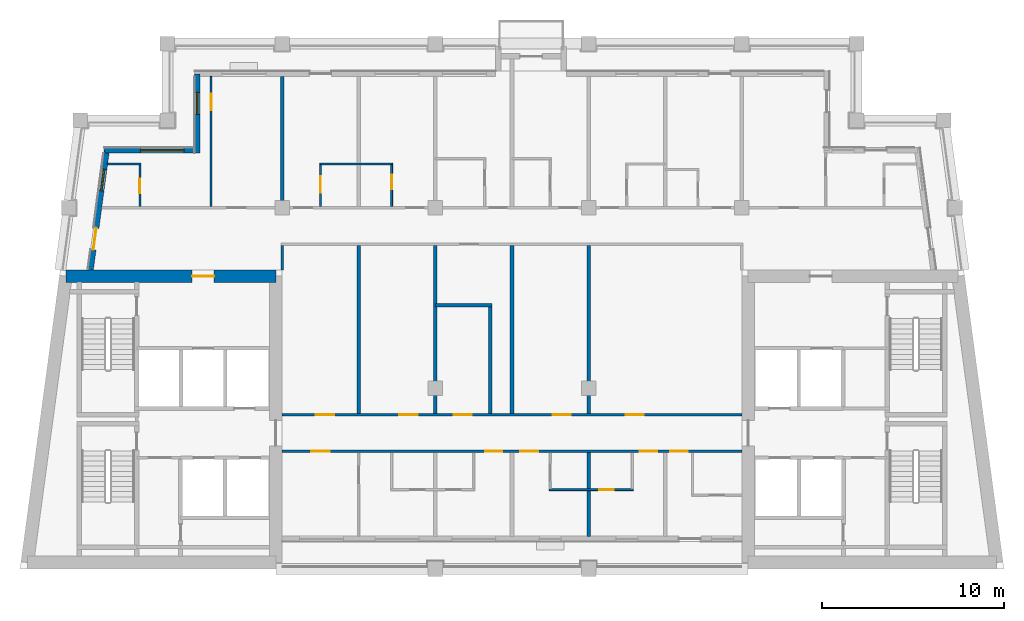
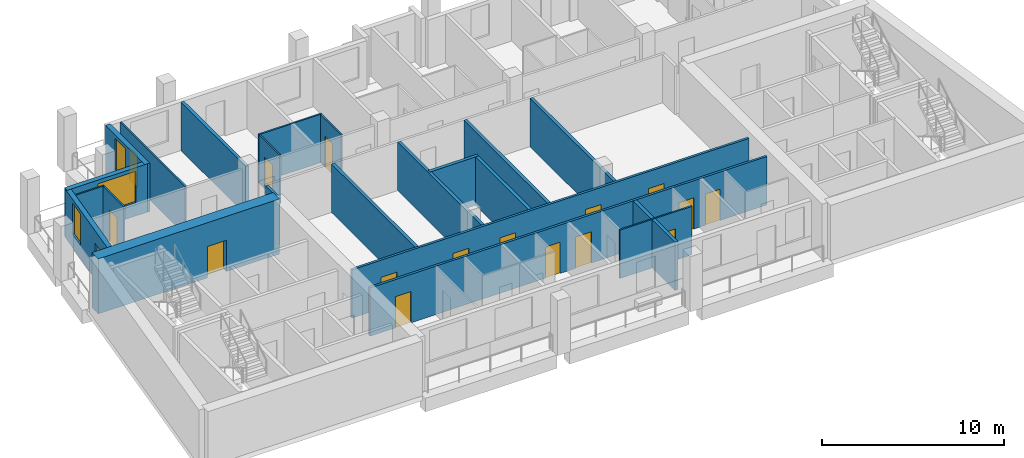
# One storey, part 3 of 10: 22 walls, 17 doors, 3 windows, 20 openings.
"""IFC4 building model written with IfcOpenShell, lengths in metres."""

from ifc_helpers import new_model, si_unit, direction, frame, frame_2d, origin, place, context, subcontext, project, spatial, rectangle, extrude, material, layer, layer_set, type_object, element, fill, save


model = new_model("IFC4")

# Units and contexts
model_context = context("Model", 3, precision=1e-05, world=origin(), true_north=direction((0.0, 1.0)))
body_context = subcontext(model_context, "Body", "Model", "MODEL_VIEW")
ifc_project = project(units=[si_unit("LENGTHUNIT", "METRE"), si_unit("AREAUNIT", "SQUARE_METRE"), si_unit("VOLUMEUNIT", "CUBIC_METRE"), si_unit("PLANEANGLEUNIT", "RADIAN"), si_unit("MASSUNIT", "GRAM", prefix="KILO")], contexts=[model_context])

# Site, building, storey
site_placement = place(None, origin())
site = spatial("IfcSite", under=ifc_project, at=site_placement, CompositionType="ELEMENT")
building_placement = place(site_placement, origin())
building = spatial("IfcBuilding", under=site, at=building_placement, Name="Candeia Pilgrim Tower and Theatre", CompositionType="ELEMENT")
storey_placement = place(building_placement, frame((0.0, 0.0, 299.699951171875)))
storey = spatial("IfcBuildingStorey", under=building, at=storey_placement, Name="L73", CompositionType="ELEMENT", Elevation=299.699951171875)

# Wall, opening, door
ifc_material_1 = material(Name="Concrete C40/50", Category="concrete")
ifc_layer_1 = layer(ifc_material_1, 0.699951171875)
ifc_layer_set_1 = layer_set([ifc_layer_1], Name="Core wall 700 C40/50")
wall_type_1 = type_object("IfcWallType", Name="Core wall 700 C40/50", PredefinedType="SHEAR", material=ifc_layer_set_1)
wall_1_placement = place(storey_placement, frame((88.936767578125, 132.050048828125, 0.0), z_axis=(0.0, 0.0, 1.0), x_axis=(1.0, 0.0, 0.0)))
wall_1 = element("IfcWall", 1, at=wall_1_placement, inside=storey, type_object=wall_type_1, Name="Core wall W1", PredefinedType="SHEAR", context=body_context, shape_type="SweptSolid", body=[
    extrude(rectangle(XDim=11.51318359375, YDim=0.699951171875, at=frame_2d((5.756591796875, 0.0))), origin(), (0.0, 0.0, 1.0), 3.699951171875),
])
opening_1_placement = place(wall_1_placement, frame((6.9267578125, 0.0, 0.0)))
opening_1 = element("IfcOpeningElement", 2, at=opening_1_placement, cuts=wall_1, Name="Opening L73-D044", PredefinedType="OPENING", context=body_context, shape_type="SweptSolid", body=[
    extrude(rectangle(XDim=1.199951171875, YDim=2.10009765625, at=frame_2d((0.60009765625, 1.050048828125))), frame((0.0, 0.35986328125, 0.0), z_axis=(0.0, -1.0, 0.0), x_axis=(1.0, 0.0, 0.0)), (0.0, 0.0, 1.0), 0.719970703125),
])
ifc_material_2 = material(Name="Steel fire door set", Category="steel")
door_type_1 = type_object("IfcDoorType", Name="D-1200-FD60", OperationType="NOTDEFINED", PredefinedType="DOOR", material=ifc_material_2)
door_1_placement = place(opening_1_placement, origin())
door_1 = element("IfcDoor", 3, at=door_1_placement, inside=storey, type_object=door_type_1, Name="Door L73-D044", OperationType="SINGLE_SWING_LEFT", OverallHeight=2.10009765625, OverallWidth=1.199951171875, PredefinedType="DOOR", context=body_context, shape_type="SweptSolid", body=[
    extrude(rectangle(XDim=1.199951171875, YDim=2.10009765625, at=frame_2d((0.60009765625, 1.050048828125))), frame((0.0, 0.02490234375, 0.0), z_axis=(0.0, -1.0, 0.0), x_axis=(1.0, 0.0, 0.0)), (0.0, 0.0, 1.0), 0.050048828125),
])
fill(opening_1, door_1)

# Wall, openings, door, window
ifc_material_3 = material(Name="Ceramic block masonry", Category="masonry")
ifc_layer_2 = layer(ifc_material_3, 0.300048828125)
ifc_layer_set_2 = layer_set([ifc_layer_2], Name="EW1 glazing-line wall 300")
wall_type_2 = type_object("IfcWallType", Name="EW1 glazing-line wall 300", PredefinedType="SOLIDWALL", material=ifc_layer_set_2)
wall_2_placement = place(storey_placement, frame((91.177490234375, 138.949951171875, 0.0), z_axis=(0.0, 0.0, 1.0), x_axis=(-0.133426664613, -0.991058689065, 0.0)))
wall_2 = element("IfcWall", 4, at=wall_2_placement, inside=storey, type_object=wall_type_2, Name="External wall L73-0.0", PredefinedType="SOLIDWALL", context=body_context, shape_type="SweptSolid", body=[
    extrude(rectangle(XDim=6.609130859375, YDim=0.300048828125, at=frame_2d((3.3046875, 0.0))), origin(), (0.0, 0.0, 1.0), 3.25),
])
opening_2_placement = place(wall_2_placement, frame((1.039306640625, 0.0, 0.89990234375)))
opening_2 = element("IfcOpeningElement", 5, at=opening_2_placement, cuts=wall_2, Name="Opening W-B", PredefinedType="OPENING", context=body_context, shape_type="SweptSolid", body=[
    extrude(rectangle(XDim=1.199951171875, YDim=2.10009765625, at=frame_2d((0.60009765625, 1.050048828125))), frame((0.0, 0.16015625, 0.0), z_axis=(0.0, -1.0, 0.0), x_axis=(1.0, 0.0, 0.0)), (0.0, 0.0, 1.0), 0.320068359375),
])
opening_3_placement = place(wall_2_placement, frame((4.293701171875, 0.0, 0.0)))
opening_3 = element("IfcOpeningElement", 6, at=opening_3_placement, cuts=wall_2, Name="Opening L73-ED675", PredefinedType="OPENING", context=body_context, shape_type="SweptSolid", body=[
    extrude(rectangle(XDim=1.199951171875, YDim=2.39990234375, at=frame_2d((0.60009765625, 1.199951171875))), frame((0.0, 0.16015625, 0.0), z_axis=(0.0, -1.0, 0.0), x_axis=(1.0, 0.0, 0.0)), (0.0, 0.0, 1.0), 0.320068359375),
])
ifc_material_4 = material(Name="Aluminium framed glazed door", Category="aluminium")
door_type_2 = type_object("IfcDoorType", Name="Loggia door 1200x2400", OperationType="DOUBLE_DOOR_SINGLE_SWING", PredefinedType="DOOR", material=ifc_material_4)
door_2_placement = place(opening_3_placement, origin())
door_2 = element("IfcDoor", 7, at=door_2_placement, inside=storey, type_object=door_type_2, Name="Loggia door L73-ED675", OperationType="DOUBLE_DOOR_SINGLE_SWING", OverallHeight=2.39990234375, OverallWidth=1.199951171875, PredefinedType="DOOR", context=body_context, shape_type="SweptSolid", body=[
    extrude(rectangle(XDim=1.199951171875, YDim=2.39990234375, at=frame_2d((0.60009765625, 1.199951171875))), frame((0.0, 0.02490234375, 0.0), z_axis=(0.0, -1.0, 0.0), x_axis=(1.0, 0.0, 0.0)), (0.0, 0.0, 1.0), 0.050048828125),
])
fill(opening_3, door_2)
ifc_material_5 = material(Name="Aluminium framed double glazing", Category="aluminium")
window_type_1 = type_object("IfcWindowType", Name="W-B window 1200x2100", PartitioningType="SINGLE_PANEL", PredefinedType="WINDOW", material=ifc_material_5)
window_1_placement = place(opening_2_placement, origin())
window_1 = element("IfcWindow", 8, at=window_1_placement, inside=storey, type_object=window_type_1, Name="Window W-B L73", OverallHeight=2.10009765625, OverallWidth=1.199951171875, PartitioningType="SINGLE_PANEL", PredefinedType="WINDOW", context=body_context, shape_type="SweptSolid", body=[
    extrude(rectangle(XDim=1.199951171875, YDim=2.10009765625, at=frame_2d((0.60009765625, 1.050048828125))), frame((0.0, 0.030029296875, 0.0), z_axis=(0.0, -1.0, 0.0), x_axis=(1.0, 0.0, 0.0)), (0.0, 0.0, 1.0), 0.06005859375),
])
fill(opening_2, window_1)

# Wall, opening, window
wall_3_placement = place(storey_placement, frame((96.14990234375, 143.14990234375, 0.0), z_axis=(0.0, 0.0, 1.0), x_axis=(0.0, -1.0, 0.0)))
wall_3 = element("IfcWall", 9, at=wall_3_placement, inside=storey, type_object=wall_type_2, Name="External wall L73-6.0", PredefinedType="SOLIDWALL", context=body_context, shape_type="SweptSolid", body=[
    extrude(rectangle(XDim=4.349853515625, YDim=0.300048828125, at=frame_2d((2.1748046875, 0.0))), origin(), (0.0, 0.0, 1.0), 3.25),
])
opening_4_placement = place(wall_3_placement, frame((1.02490234375, 0.0, 0.89990234375)))
opening_4 = element("IfcOpeningElement", 10, at=opening_4_placement, cuts=wall_3, Name="Opening W-B", PredefinedType="OPENING", context=body_context, shape_type="SweptSolid", body=[
    extrude(rectangle(XDim=1.199951171875, YDim=2.10009765625, at=frame_2d((0.60009765625, 1.050048828125))), frame((0.0, 0.16015625, 0.0), z_axis=(0.0, -1.0, 0.0), x_axis=(1.0, 0.0, 0.0)), (0.0, 0.0, 1.0), 0.320068359375),
])
window_2_placement = place(opening_4_placement, origin())
window_2 = element("IfcWindow", 11, at=window_2_placement, inside=storey, type_object=window_type_1, Name="Window W-B L73", OverallHeight=2.10009765625, OverallWidth=1.199951171875, PartitioningType="SINGLE_PANEL", PredefinedType="WINDOW", context=body_context, shape_type="SweptSolid", body=[
    extrude(rectangle(XDim=1.199951171875, YDim=2.10009765625, at=frame_2d((0.60009765625, 1.050048828125))), frame((0.0, 0.030029296875, 0.0), z_axis=(0.0, -1.0, 0.0), x_axis=(1.0, 0.0, 0.0)), (0.0, 0.0, 1.0), 0.06005859375),
])
fill(opening_4, window_2)

wall_4_placement = place(storey_placement, frame((96.14990234375, 138.949951171875, 0.0), z_axis=(0.0, 0.0, 1.0), x_axis=(-1.0, 0.0, 0.0)))
wall_4 = element("IfcWall", 12, at=wall_4_placement, inside=storey, type_object=wall_type_2, Name="External wall L73-7.0", PredefinedType="SOLIDWALL", context=body_context, shape_type="SweptSolid", body=[
    extrude(rectangle(XDim=5.103759765625, YDim=0.300048828125, at=frame_2d((2.5517578125, 0.0))), origin(), (0.0, 0.0, 1.0), 3.25),
])
opening_5_placement = place(wall_4_placement, frame((0.72509765625, 0.0, 0.89990234375)))
opening_5 = element("IfcOpeningElement", 13, at=opening_5_placement, cuts=wall_4, Name="Opening W-A", PredefinedType="OPENING", context=body_context, shape_type="SweptSolid", body=[
    extrude(rectangle(XDim=2.39990234375, YDim=2.10009765625, at=frame_2d((1.199951171875, 1.050048828125))), frame((0.0, 0.16015625, 0.0), z_axis=(0.0, -1.0, 0.0), x_axis=(1.0, 0.0, 0.0)), (0.0, 0.0, 1.0), 0.320068359375),
])
window_type_2 = type_object("IfcWindowType", Name="W-A window 2400x2100", PartitioningType="DOUBLE_PANEL_VERTICAL", PredefinedType="WINDOW", material=ifc_material_5)
window_3_placement = place(opening_5_placement, origin())
window_3 = element("IfcWindow", 14, at=window_3_placement, inside=storey, type_object=window_type_2, Name="Window W-A L73", OverallHeight=2.10009765625, OverallWidth=2.39990234375, PartitioningType="SINGLE_PANEL", PredefinedType="WINDOW", context=body_context, shape_type="SweptSolid", body=[
    extrude(rectangle(XDim=2.39990234375, YDim=2.10009765625, at=frame_2d((1.199951171875, 1.050048828125))), frame((0.0, 0.030029296875, 0.0), z_axis=(0.0, -1.0, 0.0), x_axis=(1.0, 0.0, 0.0)), (0.0, 0.0, 1.0), 0.06005859375),
])
fill(opening_5, window_3)

# Wall, opening, door
ifc_material_6 = material(Name="Gypsum board partition on steel studs", Category="steel")
ifc_layer_3 = layer(ifc_material_6, 0.10009765625)
ifc_layer_set_3 = layer_set([ifc_layer_3], Name="PW-100 room partition")
wall_type_3 = type_object("IfcWallType", Name="PW-100 room partition", PredefinedType="PARTITIONING", material=ifc_layer_set_3)
wall_5_placement = place(storey_placement, frame((115.449951171875, 120.35009765625, 0.0), z_axis=(0.0, 0.0, 1.0), x_axis=(1.0, 0.0, 0.0)))
wall_5 = element("IfcWall", 15, at=wall_5_placement, inside=storey, type_object=wall_type_3, Name="Room partition L73-011", PredefinedType="PARTITIONING", context=body_context, shape_type="SweptSolid", body=[
    extrude(rectangle(XDim=4.60009765625, YDim=0.10009765625, at=frame_2d((2.300048828125, 0.0))), origin(), (0.0, 0.0, 1.0), 3.25),
])
opening_6_placement = place(wall_5_placement, frame((2.72509765625, 0.0, 0.0)))
opening_6 = element("IfcOpeningElement", 16, at=opening_6_placement, cuts=wall_5, Name="Opening L73-D017", PredefinedType="OPENING", context=body_context, shape_type="SweptSolid", body=[
    extrude(rectangle(XDim=0.800048828125, YDim=2.10009765625, at=frame_2d((0.39990234375, 1.050048828125))), frame((0.0, 0.06005859375, 0.0), z_axis=(0.0, -1.0, 0.0), x_axis=(1.0, 0.0, 0.0)), (0.0, 0.0, 1.0), 0.1201171875),
])
ifc_material_7 = material(Name="Timber door leaf", Category="wood")
door_type_3 = type_object("IfcDoorType", Name="D-800", OperationType="NOTDEFINED", PredefinedType="DOOR", material=ifc_material_7)
door_3_placement = place(opening_6_placement, origin())
door_3 = element("IfcDoor", 17, at=door_3_placement, inside=storey, type_object=door_type_3, Name="Door L73-D017", OperationType="SINGLE_SWING_RIGHT", OverallHeight=2.10009765625, OverallWidth=0.800048828125, PredefinedType="DOOR", context=body_context, shape_type="SweptSolid", body=[
    extrude(rectangle(XDim=0.800048828125, YDim=2.10009765625, at=frame_2d((0.39990234375, 1.050048828125))), frame((0.0, 0.02490234375, 0.0), z_axis=(0.0, -1.0, 0.0), x_axis=(1.0, 0.0, 0.0)), (0.0, 0.0, 1.0), 0.050048828125),
])
fill(opening_6, door_3)

# Walls
wall_6_placement = place(storey_placement, frame((91.2177734375, 138.199951171875, 0.0), z_axis=(0.0, 0.0, 1.0), x_axis=(1.0, 0.0, 0.0)))
element("IfcWall", 18, at=wall_6_placement, inside=storey, type_object=wall_type_3, Name="Room partition L73-034", PredefinedType="PARTITIONING", context=body_context, shape_type="SweptSolid", body=[
    extrude(rectangle(XDim=1.832275390625, YDim=0.10009765625, at=frame_2d((0.916015625, 0.0))), origin(), (0.0, 0.0, 1.0), 3.25),
])
wall_7_placement = place(storey_placement, frame((102.85009765625, 138.199951171875, 0.0), z_axis=(0.0, 0.0, 1.0), x_axis=(1.0, 0.0, 0.0)))
element("IfcWall", 19, at=wall_7_placement, inside=storey, type_object=wall_type_3, Name="Room partition L73-035", PredefinedType="PARTITIONING", context=body_context, shape_type="SweptSolid", body=[
    extrude(rectangle(XDim=4.0, YDim=0.10009765625, at=frame_2d((2.0, 0.0))), origin(), (0.0, 0.0, 1.0), 3.25),
])

# Wall, opening, door
wall_8_placement = place(storey_placement, frame((93.0, 135.875, 0.0), z_axis=(0.0, 0.0, 1.0), x_axis=(0.0, 1.0, 0.0)))
wall_8 = element("IfcWall", 20, at=wall_8_placement, inside=storey, type_object=wall_type_3, Name="Room partition L73-045", PredefinedType="PARTITIONING", context=body_context, shape_type="SweptSolid", body=[
    extrude(rectangle(XDim=2.27490234375, YDim=0.10009765625, at=frame_2d((1.137451171875, 0.0))), origin(), (0.0, 0.0, 1.0), 3.25),
])
opening_7_placement = place(wall_8_placement, frame((0.72509765625, 0.0, 0.0)))
opening_7 = element("IfcOpeningElement", 21, at=opening_7_placement, cuts=wall_8, Name="Opening L73-D022", PredefinedType="OPENING", context=body_context, shape_type="SweptSolid", body=[
    extrude(rectangle(XDim=0.800048828125, YDim=2.10009765625, at=frame_2d((0.39990234375, 1.050048828125))), frame((0.0, 0.06005859375, 0.0), z_axis=(0.0, -1.0, 0.0), x_axis=(1.0, 0.0, 0.0)), (0.0, 0.0, 1.0), 0.1201171875),
])
door_4_placement = place(opening_7_placement, origin())
door_4 = element("IfcDoor", 22, at=door_4_placement, inside=storey, type_object=door_type_3, Name="Door L73-D022", OperationType="SINGLE_SWING_LEFT", OverallHeight=2.10009765625, OverallWidth=0.800048828125, PredefinedType="DOOR", context=body_context, shape_type="SweptSolid", body=[
    extrude(rectangle(XDim=0.800048828125, YDim=2.10009765625, at=frame_2d((0.39990234375, 1.050048828125))), frame((0.0, 0.02490234375, 0.0), z_axis=(0.0, -1.0, 0.0), x_axis=(1.0, 0.0, 0.0)), (0.0, 0.0, 1.0), 0.050048828125),
])
fill(opening_7, door_4)

wall_9_placement = place(storey_placement, frame((96.89990234375, 135.875, 0.0), z_axis=(0.0, 0.0, 1.0), x_axis=(0.0, 1.0, 0.0)))
wall_9 = element("IfcWall", 23, at=wall_9_placement, inside=storey, type_object=wall_type_3, Name="Room partition L73-048", PredefinedType="PARTITIONING", context=body_context, shape_type="SweptSolid", body=[
    extrude(rectangle(XDim=7.135009765625, YDim=0.10009765625, at=frame_2d((3.5673828125, 0.0))), origin(), (0.0, 0.0, 1.0), 3.25),
])
opening_8_placement = place(wall_9_placement, frame((5.2900390625, 0.0, 0.0)))
opening_8 = element("IfcOpeningElement", 24, at=opening_8_placement, cuts=wall_9, Name="Opening L73-D021", PredefinedType="OPENING", context=body_context, shape_type="SweptSolid", body=[
    extrude(rectangle(XDim=0.89990234375, YDim=2.10009765625, at=frame_2d((0.449951171875, 1.050048828125))), frame((0.0, 0.06005859375, 0.0), z_axis=(0.0, -1.0, 0.0), x_axis=(1.0, 0.0, 0.0)), (0.0, 0.0, 1.0), 0.1201171875),
])
door_type_4 = type_object("IfcDoorType", Name="D-900", OperationType="NOTDEFINED", PredefinedType="DOOR", material=ifc_material_7)
door_5_placement = place(opening_8_placement, origin())
door_5 = element("IfcDoor", 25, at=door_5_placement, inside=storey, type_object=door_type_4, Name="Door L73-D021", OperationType="SINGLE_SWING_RIGHT", OverallHeight=2.10009765625, OverallWidth=0.89990234375, PredefinedType="DOOR", context=body_context, shape_type="SweptSolid", body=[
    extrude(rectangle(XDim=0.89990234375, YDim=2.10009765625, at=frame_2d((0.449951171875, 1.050048828125))), frame((0.0, 0.02490234375, 0.0), z_axis=(0.0, -1.0, 0.0), x_axis=(1.0, 0.0, 0.0)), (0.0, 0.0, 1.0), 0.050048828125),
])
fill(opening_8, door_5)

wall_10_placement = place(storey_placement, frame((102.89990234375, 135.875, 0.0), z_axis=(0.0, 0.0, 1.0), x_axis=(0.0, 1.0, 0.0)))
wall_10 = element("IfcWall", 26, at=wall_10_placement, inside=storey, type_object=wall_type_3, Name="Room partition L73-053", PredefinedType="PARTITIONING", context=body_context, shape_type="SweptSolid", body=[
    extrude(rectangle(XDim=2.27490234375, YDim=0.10009765625, at=frame_2d((1.137451171875, 0.0))), origin(), (0.0, 0.0, 1.0), 3.25),
])
opening_9_placement = place(wall_10_placement, frame((0.7548828125, 0.0, 0.0)))
opening_9 = element("IfcOpeningElement", 27, at=opening_9_placement, cuts=wall_10, Name="Opening L73-D024", PredefinedType="OPENING", context=body_context, shape_type="SweptSolid", body=[
    extrude(rectangle(XDim=0.89990234375, YDim=2.10009765625, at=frame_2d((0.449951171875, 1.050048828125))), frame((0.0, 0.06005859375, 0.0), z_axis=(0.0, -1.0, 0.0), x_axis=(1.0, 0.0, 0.0)), (0.0, 0.0, 1.0), 0.1201171875),
])
door_6_placement = place(opening_9_placement, origin())
door_6 = element("IfcDoor", 28, at=door_6_placement, inside=storey, type_object=door_type_4, Name="Door L73-D024", OperationType="SINGLE_SWING_LEFT", OverallHeight=2.10009765625, OverallWidth=0.89990234375, PredefinedType="DOOR", context=body_context, shape_type="SweptSolid", body=[
    extrude(rectangle(XDim=0.89990234375, YDim=2.10009765625, at=frame_2d((0.449951171875, 1.050048828125))), frame((0.0, 0.02490234375, 0.0), z_axis=(0.0, -1.0, 0.0), x_axis=(1.0, 0.0, 0.0)), (0.0, 0.0, 1.0), 0.050048828125),
])
fill(opening_9, door_6)

wall_11_placement = place(storey_placement, frame((106.800048828125, 135.875, 0.0), z_axis=(0.0, 0.0, 1.0), x_axis=(0.0, 1.0, 0.0)))
wall_11 = element("IfcWall", 29, at=wall_11_placement, inside=storey, type_object=wall_type_3, Name="Room partition L73-058", PredefinedType="PARTITIONING", context=body_context, shape_type="SweptSolid", body=[
    extrude(rectangle(XDim=2.27490234375, YDim=0.10009765625, at=frame_2d((1.137451171875, 0.0))), origin(), (0.0, 0.0, 1.0), 3.25),
])
opening_10_placement = place(wall_11_placement, frame((0.949951171875, 0.0, 0.0)))
opening_10 = element("IfcOpeningElement", 30, at=opening_10_placement, cuts=wall_11, Name="Opening L73-D026", PredefinedType="OPENING", context=body_context, shape_type="SweptSolid", body=[
    extrude(rectangle(XDim=0.800048828125, YDim=2.10009765625, at=frame_2d((0.39990234375, 1.050048828125))), frame((0.0, 0.06005859375, 0.0), z_axis=(0.0, -1.0, 0.0), x_axis=(1.0, 0.0, 0.0)), (0.0, 0.0, 1.0), 0.1201171875),
])
door_7_placement = place(opening_10_placement, origin())
door_7 = element("IfcDoor", 31, at=door_7_placement, inside=storey, type_object=door_type_3, Name="Door L73-D026", OperationType="SINGLE_SWING_LEFT", OverallHeight=2.10009765625, OverallWidth=0.800048828125, PredefinedType="DOOR", context=body_context, shape_type="SweptSolid", body=[
    extrude(rectangle(XDim=0.800048828125, YDim=2.10009765625, at=frame_2d((0.39990234375, 1.050048828125))), frame((0.0, 0.02490234375, 0.0), z_axis=(0.0, -1.0, 0.0), x_axis=(1.0, 0.0, 0.0)), (0.0, 0.0, 1.0), 0.050048828125),
])
fill(opening_10, door_7)

# Wall, openings, doors
ifc_layer_4 = layer(ifc_material_6, 0.14990234375)
ifc_layer_set_4 = layer_set([ifc_layer_4], Name="PW-150 unit wall")
wall_type_4 = type_object("IfcWallType", Name="PW-150 unit wall", PredefinedType="PARTITIONING", material=ifc_layer_set_4)
wall_12_placement = place(storey_placement, frame((100.800048828125, 122.449951171875, 0.0), z_axis=(0.0, 0.0, 1.0), x_axis=(1.0, 0.0, 0.0)))
wall_12 = element("IfcWall", 32, at=wall_12_placement, inside=storey, type_object=wall_type_4, Name="Unit wall L73-016", PredefinedType="PARTITIONING", context=body_context, shape_type="SweptSolid", body=[
    extrude(rectangle(XDim=25.199951171875, YDim=0.14990234375, at=frame_2d((12.60009765625, 0.0))), origin(), (0.0, 0.0, 1.0), 3.25),
])
opening_11_placement = place(wall_12_placement, frame((1.60009765625, 0.0, 0.0)))
opening_11 = element("IfcOpeningElement", 33, at=opening_11_placement, cuts=wall_12, Name="Opening L73-D009", PredefinedType="OPENING", context=body_context, shape_type="SweptSolid", body=[
    extrude(rectangle(XDim=1.0, YDim=2.10009765625, at=frame_2d((0.5, 1.050048828125))), frame((0.0, 0.0849609375, 0.0), z_axis=(0.0, -1.0, 0.0), x_axis=(1.0, 0.0, 0.0)), (0.0, 0.0, 1.0), 0.169921875),
])
opening_12_placement = place(wall_12_placement, frame((11.1201171875, 0.0, 0.0)))
opening_12 = element("IfcOpeningElement", 34, at=opening_12_placement, cuts=wall_12, Name="Opening L73-D012", PredefinedType="OPENING", context=body_context, shape_type="SweptSolid", body=[
    extrude(rectangle(XDim=0.949951171875, YDim=2.10009765625, at=frame_2d((0.47509765625, 1.050048828125))), frame((0.0, 0.0849609375, 0.0), z_axis=(0.0, -1.0, 0.0), x_axis=(1.0, 0.0, 0.0)), (0.0, 0.0, 1.0), 0.169921875),
])
opening_13_placement = place(wall_12_placement, frame((13.050048828125, 0.0, 0.0)))
opening_13 = element("IfcOpeningElement", 35, at=opening_13_placement, cuts=wall_12, Name="Opening L73-D014", PredefinedType="OPENING", context=body_context, shape_type="SweptSolid", body=[
    extrude(rectangle(XDim=1.0, YDim=2.10009765625, at=frame_2d((0.5, 1.050048828125))), frame((0.0, 0.0849609375, 0.0), z_axis=(0.0, -1.0, 0.0), x_axis=(1.0, 0.0, 0.0)), (0.0, 0.0, 1.0), 0.169921875),
])
opening_14_placement = place(wall_12_placement, frame((19.610107421875, 0.0, 0.0)))
opening_14 = element("IfcOpeningElement", 36, at=opening_14_placement, cuts=wall_12, Name="Opening L73-D016", PredefinedType="OPENING", context=body_context, shape_type="SweptSolid", body=[
    extrude(rectangle(XDim=0.949951171875, YDim=2.10009765625, at=frame_2d((0.47509765625, 1.050048828125))), frame((0.0, 0.0849609375, 0.0), z_axis=(0.0, -1.0, 0.0), x_axis=(1.0, 0.0, 0.0)), (0.0, 0.0, 1.0), 0.169921875),
])
opening_15_placement = place(wall_12_placement, frame((21.27490234375, 0.0, 0.0)))
opening_15 = element("IfcOpeningElement", 37, at=opening_15_placement, cuts=wall_12, Name="Opening L73-D018", PredefinedType="OPENING", context=body_context, shape_type="SweptSolid", body=[
    extrude(rectangle(XDim=0.949951171875, YDim=2.10009765625, at=frame_2d((0.47509765625, 1.050048828125))), frame((0.0, 0.0849609375, 0.0), z_axis=(0.0, -1.0, 0.0), x_axis=(1.0, 0.0, 0.0)), (0.0, 0.0, 1.0), 0.169921875),
])
door_type_5 = type_object("IfcDoorType", Name="D-1000-FD30S", OperationType="NOTDEFINED", PredefinedType="DOOR", material=ifc_material_2)
door_8_placement = place(opening_11_placement, origin())
door_8 = element("IfcDoor", 38, at=door_8_placement, inside=storey, type_object=door_type_5, Name="Door L73-D009", OperationType="SINGLE_SWING_RIGHT", OverallHeight=2.10009765625, OverallWidth=1.0, PredefinedType="DOOR", context=body_context, shape_type="SweptSolid", body=[
    extrude(rectangle(XDim=1.0, YDim=2.10009765625, at=frame_2d((0.5, 1.050048828125))), frame((0.0, 0.02490234375, 0.0), z_axis=(0.0, -1.0, 0.0), x_axis=(1.0, 0.0, 0.0)), (0.0, 0.0, 1.0), 0.050048828125),
])
fill(opening_11, door_8)
door_9_placement = place(opening_13_placement, origin())
door_9 = element("IfcDoor", 39, at=door_9_placement, inside=storey, type_object=door_type_5, Name="Door L73-D014", OperationType="SINGLE_SWING_LEFT", OverallHeight=2.10009765625, OverallWidth=1.0, PredefinedType="DOOR", context=body_context, shape_type="SweptSolid", body=[
    extrude(rectangle(XDim=1.0, YDim=2.10009765625, at=frame_2d((0.5, 1.050048828125))), frame((0.0, 0.02490234375, 0.0), z_axis=(0.0, -1.0, 0.0), x_axis=(1.0, 0.0, 0.0)), (0.0, 0.0, 1.0), 0.050048828125),
])
fill(opening_13, door_9)
door_type_6 = type_object("IfcDoorType", Name="D-950-FD30S", OperationType="NOTDEFINED", PredefinedType="DOOR", material=ifc_material_2)
door_10_placement = place(opening_12_placement, origin())
door_10 = element("IfcDoor", 40, at=door_10_placement, inside=storey, type_object=door_type_6, Name="Door L73-D012", OperationType="SINGLE_SWING_LEFT", OverallHeight=2.10009765625, OverallWidth=0.949951171875, PredefinedType="DOOR", context=body_context, shape_type="SweptSolid", body=[
    extrude(rectangle(XDim=0.949951171875, YDim=2.10009765625, at=frame_2d((0.47509765625, 1.050048828125))), frame((0.0, 0.02490234375, 0.0), z_axis=(0.0, -1.0, 0.0), x_axis=(1.0, 0.0, 0.0)), (0.0, 0.0, 1.0), 0.050048828125),
])
fill(opening_12, door_10)
door_11_placement = place(opening_14_placement, origin())
door_11 = element("IfcDoor", 41, at=door_11_placement, inside=storey, type_object=door_type_6, Name="Door L73-D016", OperationType="SINGLE_SWING_LEFT", OverallHeight=2.10009765625, OverallWidth=0.949951171875, PredefinedType="DOOR", context=body_context, shape_type="SweptSolid", body=[
    extrude(rectangle(XDim=0.949951171875, YDim=2.10009765625, at=frame_2d((0.47509765625, 1.050048828125))), frame((0.0, 0.02490234375, 0.0), z_axis=(0.0, -1.0, 0.0), x_axis=(1.0, 0.0, 0.0)), (0.0, 0.0, 1.0), 0.050048828125),
])
fill(opening_14, door_11)
door_12_placement = place(opening_15_placement, origin())
door_12 = element("IfcDoor", 42, at=door_12_placement, inside=storey, type_object=door_type_6, Name="Door L73-D018", OperationType="SINGLE_SWING_LEFT", OverallHeight=2.10009765625, OverallWidth=0.949951171875, PredefinedType="DOOR", context=body_context, shape_type="SweptSolid", body=[
    extrude(rectangle(XDim=0.949951171875, YDim=2.10009765625, at=frame_2d((0.47509765625, 1.050048828125))), frame((0.0, 0.02490234375, 0.0), z_axis=(0.0, -1.0, 0.0), x_axis=(1.0, 0.0, 0.0)), (0.0, 0.0, 1.0), 0.050048828125),
])
fill(opening_15, door_12)

wall_13_placement = place(storey_placement, frame((100.800048828125, 124.449951171875, 0.0), z_axis=(0.0, 0.0, 1.0), x_axis=(1.0, 0.0, 0.0)))
wall_13 = element("IfcWall", 43, at=wall_13_placement, inside=storey, type_object=wall_type_4, Name="Unit wall L73-021", PredefinedType="PARTITIONING", context=body_context, shape_type="SweptSolid", body=[
    extrude(rectangle(XDim=25.199951171875, YDim=0.14990234375, at=frame_2d((12.60009765625, 0.0))), origin(), (0.0, 0.0, 1.0), 3.25),
])
opening_16_placement = place(wall_13_placement, frame((1.85009765625, 0.0, 0.0)))
opening_16 = element("IfcOpeningElement", 44, at=opening_16_placement, cuts=wall_13, Name="Opening L73-D039", PredefinedType="OPENING", context=body_context, shape_type="SweptSolid", body=[
    extrude(rectangle(XDim=1.0, YDim=2.10009765625, at=frame_2d((0.5, 1.050048828125))), frame((0.0, 0.0849609375, 0.0), z_axis=(0.0, -1.0, 0.0), x_axis=(1.0, 0.0, 0.0)), (0.0, 0.0, 1.0), 0.169921875),
])
opening_17_placement = place(wall_13_placement, frame((6.425048828125, 0.0, 0.0)))
opening_17 = element("IfcOpeningElement", 45, at=opening_17_placement, cuts=wall_13, Name="Opening L73-D040", PredefinedType="OPENING", context=body_context, shape_type="SweptSolid", body=[
    extrude(rectangle(XDim=1.0, YDim=2.10009765625, at=frame_2d((0.5, 1.050048828125))), frame((0.0, 0.0849609375, 0.0), z_axis=(0.0, -1.0, 0.0), x_axis=(1.0, 0.0, 0.0)), (0.0, 0.0, 1.0), 0.169921875),
])
opening_18_placement = place(wall_13_placement, frame((9.39990234375, 0.0, 0.0)))
opening_18 = element("IfcOpeningElement", 46, at=opening_18_placement, cuts=wall_13, Name="Opening L73-D041", PredefinedType="OPENING", context=body_context, shape_type="SweptSolid", body=[
    extrude(rectangle(XDim=1.0, YDim=2.10009765625, at=frame_2d((0.5, 1.050048828125))), frame((0.0, 0.0849609375, 0.0), z_axis=(0.0, -1.0, 0.0), x_axis=(1.0, 0.0, 0.0)), (0.0, 0.0, 1.0), 0.169921875),
])
opening_19_placement = place(wall_13_placement, frame((14.824951171875, 0.0, 0.0)))
opening_19 = element("IfcOpeningElement", 47, at=opening_19_placement, cuts=wall_13, Name="Opening L73-D042", PredefinedType="OPENING", context=body_context, shape_type="SweptSolid", body=[
    extrude(rectangle(XDim=1.0, YDim=2.10009765625, at=frame_2d((0.5, 1.050048828125))), frame((0.0, 0.0849609375, 0.0), z_axis=(0.0, -1.0, 0.0), x_axis=(1.0, 0.0, 0.0)), (0.0, 0.0, 1.0), 0.169921875),
])
opening_20_placement = place(wall_13_placement, frame((18.824951171875, 0.0, 0.0)))
opening_20 = element("IfcOpeningElement", 48, at=opening_20_placement, cuts=wall_13, Name="Opening L73-D043", PredefinedType="OPENING", context=body_context, shape_type="SweptSolid", body=[
    extrude(rectangle(XDim=1.0, YDim=2.10009765625, at=frame_2d((0.5, 1.050048828125))), frame((0.0, 0.0849609375, 0.0), z_axis=(0.0, -1.0, 0.0), x_axis=(1.0, 0.0, 0.0)), (0.0, 0.0, 1.0), 0.169921875),
])
door_13_placement = place(opening_16_placement, origin())
door_13 = element("IfcDoor", 49, at=door_13_placement, inside=storey, type_object=door_type_5, Name="Door L73-D039", OperationType="SINGLE_SWING_RIGHT", OverallHeight=2.10009765625, OverallWidth=1.0, PredefinedType="DOOR", context=body_context, shape_type="SweptSolid", body=[
    extrude(rectangle(XDim=1.0, YDim=2.10009765625, at=frame_2d((0.5, 1.050048828125))), frame((0.0, 0.02490234375, 0.0), z_axis=(0.0, -1.0, 0.0), x_axis=(1.0, 0.0, 0.0)), (0.0, 0.0, 1.0), 0.050048828125),
])
fill(opening_16, door_13)
door_14_placement = place(opening_17_placement, origin())
door_14 = element("IfcDoor", 50, at=door_14_placement, inside=storey, type_object=door_type_5, Name="Door L73-D040", OperationType="SINGLE_SWING_LEFT", OverallHeight=2.10009765625, OverallWidth=1.0, PredefinedType="DOOR", context=body_context, shape_type="SweptSolid", body=[
    extrude(rectangle(XDim=1.0, YDim=2.10009765625, at=frame_2d((0.5, 1.050048828125))), frame((0.0, 0.02490234375, 0.0), z_axis=(0.0, -1.0, 0.0), x_axis=(1.0, 0.0, 0.0)), (0.0, 0.0, 1.0), 0.050048828125),
])
fill(opening_17, door_14)
door_15_placement = place(opening_18_placement, origin())
door_15 = element("IfcDoor", 51, at=door_15_placement, inside=storey, type_object=door_type_5, Name="Door L73-D041", OperationType="SINGLE_SWING_RIGHT", OverallHeight=2.10009765625, OverallWidth=1.0, PredefinedType="DOOR", context=body_context, shape_type="SweptSolid", body=[
    extrude(rectangle(XDim=1.0, YDim=2.10009765625, at=frame_2d((0.5, 1.050048828125))), frame((0.0, 0.02490234375, 0.0), z_axis=(0.0, -1.0, 0.0), x_axis=(1.0, 0.0, 0.0)), (0.0, 0.0, 1.0), 0.050048828125),
])
fill(opening_18, door_15)
door_16_placement = place(opening_19_placement, origin())
door_16 = element("IfcDoor", 52, at=door_16_placement, inside=storey, type_object=door_type_5, Name="Door L73-D042", OperationType="SINGLE_SWING_LEFT", OverallHeight=2.10009765625, OverallWidth=1.0, PredefinedType="DOOR", context=body_context, shape_type="SweptSolid", body=[
    extrude(rectangle(XDim=1.0, YDim=2.10009765625, at=frame_2d((0.5, 1.050048828125))), frame((0.0, 0.02490234375, 0.0), z_axis=(0.0, -1.0, 0.0), x_axis=(1.0, 0.0, 0.0)), (0.0, 0.0, 1.0), 0.050048828125),
])
fill(opening_19, door_16)
door_17_placement = place(opening_20_placement, origin())
door_17 = element("IfcDoor", 53, at=door_17_placement, inside=storey, type_object=door_type_5, Name="Door L73-D043", OperationType="SINGLE_SWING_RIGHT", OverallHeight=2.10009765625, OverallWidth=1.0, PredefinedType="DOOR", context=body_context, shape_type="SweptSolid", body=[
    extrude(rectangle(XDim=1.0, YDim=2.10009765625, at=frame_2d((0.5, 1.050048828125))), frame((0.0, 0.02490234375, 0.0), z_axis=(0.0, -1.0, 0.0), x_axis=(1.0, 0.0, 0.0)), (0.0, 0.0, 1.0), 0.050048828125),
])
fill(opening_20, door_17)

# Walls
wall_14_placement = place(storey_placement, frame((100.800048828125, 132.39990234375, 0.0), z_axis=(0.0, 0.0, 1.0), x_axis=(0.0, 1.0, 0.0)))
element("IfcWall", 54, at=wall_14_placement, inside=storey, type_object=wall_type_4, Name="Unit wall L73-052", PredefinedType="PARTITIONING", context=body_context, shape_type="SweptSolid", body=[
    extrude(rectangle(XDim=1.3251953125, YDim=0.14990234375, at=frame_2d((0.66259765625, 0.0))), origin(), (0.0, 0.0, 1.0), 3.25),
])
ifc_layer_5 = layer(ifc_material_6, 0.199951171875)
ifc_layer_set_5 = layer_set([ifc_layer_5], Name="PW-200 party wall")
wall_type_5 = type_object("IfcWallType", Name="PW-200 party wall", PredefinedType="PARTITIONING", material=ifc_layer_set_5)
wall_15_placement = place(storey_placement, frame((109.199951171875, 130.449951171875, 0.0), z_axis=(0.0, 0.0, 1.0), x_axis=(1.0, 0.0, 0.0)))
element("IfcWall", 55, at=wall_15_placement, inside=storey, type_object=wall_type_5, Name="Party wall L73-028", PredefinedType="PARTITIONING", context=body_context, shape_type="SweptSolid", body=[
    extrude(rectangle(XDim=3.10009765625, YDim=0.199951171875, at=frame_2d((1.550048828125, 0.0))), origin(), (0.0, 0.0, 1.0), 3.25),
])
wall_16_placement = place(storey_placement, frame((100.800048828125, 135.875, 0.0), z_axis=(0.0, 0.0, 1.0), x_axis=(0.0, 1.0, 0.0)))
element("IfcWall", 56, at=wall_16_placement, inside=storey, type_object=wall_type_5, Name="Party wall L73-051", PredefinedType="PARTITIONING", context=body_context, shape_type="SweptSolid", body=[
    extrude(rectangle(XDim=7.135009765625, YDim=0.199951171875, at=frame_2d((3.5673828125, 0.0))), origin(), (0.0, 0.0, 1.0), 3.25),
])
for number, where, z_axis, x_axis, name in (
    (57, (105.0, 124.52490234375, 0.0), (0.0, 0.0, 1.0), (0.0, 1.0, 0.0), "Party wall L73-055"),
    (58, (109.199951171875, 124.52490234375, 0.0), (0.0, 0.0, 1.0), (0.0, 1.0, 0.0), "Party wall L73-060"),
):
    element("IfcWall", number, at=place(storey_placement, frame(where, z_axis=z_axis, x_axis=x_axis)), inside=storey, type_object=wall_type_5, Name=name, PredefinedType="PARTITIONING", context=body_context, shape_type="SweptSolid", body=[
        extrude(rectangle(XDim=9.2001953125, YDim=0.199951171875, at=frame_2d((4.60009765625, 0.0))), origin(), (0.0, 0.0, 1.0), 3.25),
    ])
wall_17_placement = place(storey_placement, frame((112.199951171875, 124.52490234375, 0.0), z_axis=(0.0, 0.0, 1.0), x_axis=(0.0, 1.0, 0.0)))
element("IfcWall", 59, at=wall_17_placement, inside=storey, type_object=wall_type_5, Name="Party wall L73-064", PredefinedType="PARTITIONING", context=body_context, shape_type="SweptSolid", body=[
    extrude(rectangle(XDim=5.8251953125, YDim=0.199951171875, at=frame_2d((2.91259765625, 0.0))), origin(), (0.0, 0.0, 1.0), 3.25),
])
wall_18_placement = place(storey_placement, frame((113.39990234375, 124.52490234375, 0.0), z_axis=(0.0, 0.0, 1.0), x_axis=(0.0, 1.0, 0.0)))
element("IfcWall", 60, at=wall_18_placement, inside=storey, type_object=wall_type_5, Name="Party wall L73-066", PredefinedType="PARTITIONING", context=body_context, shape_type="SweptSolid", body=[
    extrude(rectangle(XDim=9.2001953125, YDim=0.199951171875, at=frame_2d((4.60009765625, 0.0))), origin(), (0.0, 0.0, 1.0), 3.25),
])
wall_19_placement = place(storey_placement, frame((117.60009765625, 117.7900390625, 0.0), z_axis=(0.0, 0.0, 1.0), x_axis=(0.0, 1.0, 0.0)))
element("IfcWall", 61, at=wall_19_placement, inside=storey, type_object=wall_type_5, Name="Party wall L73-070", PredefinedType="PARTITIONING", context=body_context, shape_type="SweptSolid", body=[
    extrude(rectangle(XDim=4.5849609375, YDim=0.199951171875, at=frame_2d((2.29248046875, 0.0))), origin(), (0.0, 0.0, 1.0), 3.25),
])
wall_20_placement = place(storey_placement, frame((117.60009765625, 124.52490234375, 0.0), z_axis=(0.0, 0.0, 1.0), x_axis=(0.0, 1.0, 0.0)))
element("IfcWall", 62, at=wall_20_placement, inside=storey, type_object=wall_type_5, Name="Party wall L73-071", PredefinedType="PARTITIONING", context=body_context, shape_type="SweptSolid", body=[
    extrude(rectangle(XDim=9.2001953125, YDim=0.199951171875, at=frame_2d((4.60009765625, 0.0))), origin(), (0.0, 0.0, 1.0), 3.25),
])

save(model, "model.ifc")
